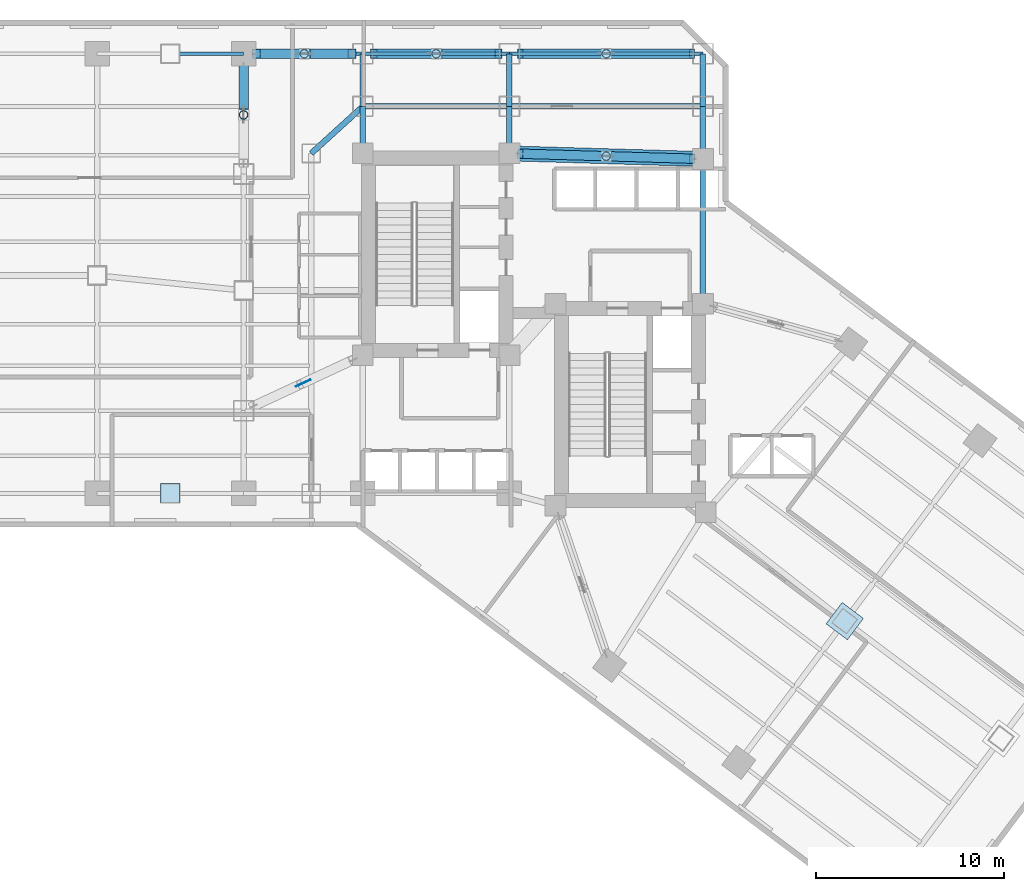
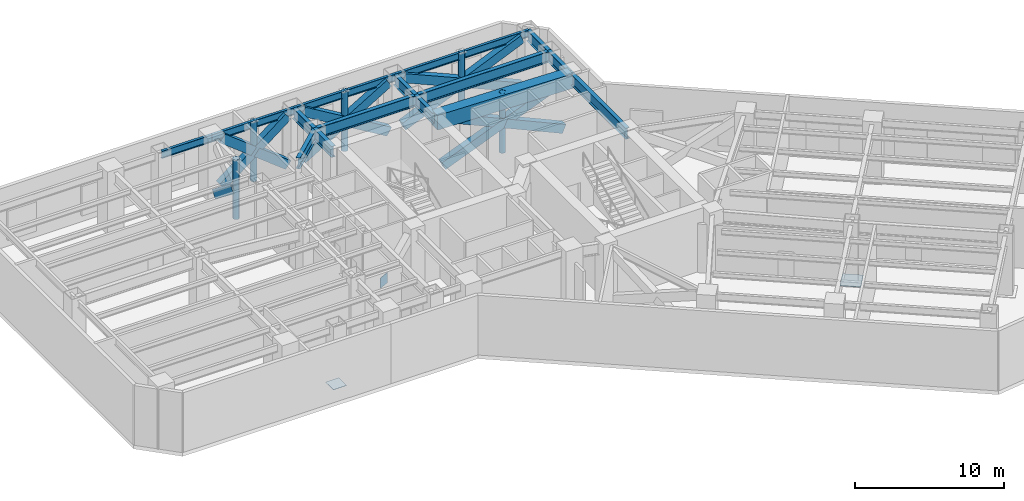
# One storey, part 3 of 16: 18 members, 15 beams, 3 plates.
"""IFC4 building model written with IfcOpenShell, lengths in metres."""

from ifc_helpers import new_model, si_unit, direction, frame, origin, origin_2d, place, context, subcontext, project, spatial, rectangle, hollow_rectangle, hollow_circle, i_section, extrude, material, layer, layer_set, material_profile, profile_set, type_object, element, save


model = new_model("IFC4")

# Units and contexts
model_context = context("Model", 3, precision=1e-05, world=origin(), true_north=direction((0.0, 1.0)))
body_context = subcontext(model_context, "Body", "Model", "MODEL_VIEW")
ifc_project = project(units=[si_unit("LENGTHUNIT", "METRE"), si_unit("AREAUNIT", "SQUARE_METRE"), si_unit("VOLUMEUNIT", "CUBIC_METRE"), si_unit("PLANEANGLEUNIT", "RADIAN"), si_unit("MASSUNIT", "GRAM", prefix="KILO")], contexts=[model_context])

# Site, building, storey
site_placement = place(None, origin())
site = spatial("IfcSite", under=ifc_project, at=site_placement, CompositionType="ELEMENT")
building_placement = place(site_placement, origin())
building = spatial("IfcBuilding", under=site, at=building_placement, Name="Hatsunagi Terrace Concourse", CompositionType="ELEMENT")
storey_placement = place(building_placement, frame((0.0, 0.0, 27.0)))
storey = spatial("IfcBuildingStorey", under=building, at=storey_placement, Name="L06", CompositionType="ELEMENT", Elevation=27.0)

# Members
ifc_material_1 = material(Name="Steel SN490B", Category="steel")
ifc_material_profile_1 = material_profile(ifc_material_1, hollow_circle(Radius=0.228515625, WallThickness=0.01904296875, at=origin_2d()), Name="CHS-457.2x19")
ifc_profile_set_1 = profile_set([ifc_material_profile_1], Name="Steel SN490B")
member_type_1 = type_object("IfcMemberType", Name="BeltTrussStrut_CHS_457x19", PredefinedType="STRUT", material=ifc_profile_set_1)
for number, where, z_axis, x_axis, name in (
    (1, (19.199951171875, 45.35009765625, 0.0), (0.0, 0.0, 1.0), (1.0, 0.0, 0.0), "Belt Strut BST-01 L06-2"),
    (2, (22.425048828125, 48.60009765625, 0.0), (0.0, 0.0, 1.0), (1.0, 0.0, 0.0), "Belt Strut BST-01 L06-3"),
    (3, (29.449951171875, 48.60009765625, 0.0), (0.0, 0.0, 1.0), (1.0, 0.0, 0.0), "Belt Strut BST-01 L06-4"),
    (4, (38.5, 43.14990234375, 0.0), (0.0, 0.0, 1.0), (1.0, 0.0, 0.0), "Belt Strut BST-01 L06-7"),
    (5, (38.5, 48.60009765625, 0.0), (0.0, 0.0, 1.0), (1.0, 0.0, 0.0), "Belt Strut BST-01 L06-8"),
):
    element("IfcMember", number, at=place(storey_placement, frame(where, z_axis=z_axis, x_axis=x_axis)), inside=storey, type_object=member_type_1, Name=name, PredefinedType="STRUT", context=body_context, shape_type="SweptSolid", body=[
        extrude(hollow_circle(Radius=0.228515625, WallThickness=0.01904296875, at=origin_2d()), origin(), (0.0, 0.0, 1.0), 4.8798828125),
    ])

# Beams
ifc_material_2 = material(Name="Concrete Fc60", Category="concrete")
ifc_material_profile_2 = material_profile(ifc_material_2, rectangle(XDim=0.800048828125, YDim=1.199951171875, at=origin_2d()), Name="RC-800x1200")
ifc_profile_set_2 = profile_set([ifc_material_profile_2], Name="Concrete Fc60")
beam_type_1 = type_object("IfcBeamType", Name="CoreCouplingBeam_RC_800x1200", PredefinedType="BEAM", material=ifc_profile_set_2)
beam_1_placement = place(storey_placement, frame((33.35009765625, 43.300048828125, 4.280029296875), z_axis=(0.999575947545, -0.029119153303, 0.0), x_axis=(0.029119153303, 0.999575947545, 0.0)))
element("IfcBeam", 6, at=beam_1_placement, inside=storey, type_object=beam_type_1, Name="Beam CB-01 CB-L06-2", PredefinedType="BEAM", context=body_context, shape_type="SweptSolid", body=[
    extrude(rectangle(XDim=0.800048828125, YDim=1.199951171875, at=origin_2d()), origin(), (0.0, 0.0, 1.0), 10.30419921875),
])
ifc_material_3 = material(Name="Steel SN490B", Category="steel")
ifc_material_profile_3 = material_profile(ifc_material_3, i_section(OverallWidth=0.300048828125, OverallDepth=0.89990234375, WebThickness=0.01611328125, FlangeThickness=0.028076171875, FilletRadius=0.02197265625, at=origin_2d()), Name="H-900x300x16x28")
ifc_profile_set_3 = profile_set([ifc_material_profile_3], Name="Steel SN490B")
beam_type_2 = type_object("IfcBeamType", Name="HeavyRefugeGirder_H_900x300", PredefinedType="BEAM", material=ifc_profile_set_3)
beam_2_placement = place(storey_placement, frame((43.64990234375, 35.300048828125, 4.429931640625), z_axis=(0.0, 1.0, 0.0), x_axis=(-1.0, 0.0, 0.0)))
element("IfcBeam", 7, at=beam_2_placement, inside=storey, type_object=beam_type_2, Name="Beam G-02 BM-L06-CBK3", PredefinedType="BEAM", context=body_context, shape_type="SweptSolid", body=[
    extrude(i_section(OverallWidth=0.300048828125, OverallDepth=0.89990234375, WebThickness=0.01611328125, FlangeThickness=0.028076171875, FilletRadius=0.02197265625, at=origin_2d()), origin(), (0.0, 0.0, 1.0), 7.699951171875),
])
for number, where, z_axis, x_axis, name in (
    (8, (25.550048828125, 43.300048828125, 4.429931640625), (0.0, 1.0, 0.0), (-1.0, 0.0, 0.0), "Beam G-02 BM-L06-CN1"),
    (9, (33.35009765625, 43.300048828125, 4.429931640625), (0.0, 1.0, 0.0), (-1.0, 0.0, 0.0), "Beam G-02 BM-L06-CN2"),
):
    element("IfcBeam", number, at=place(storey_placement, frame(where, z_axis=z_axis, x_axis=x_axis)), inside=storey, type_object=beam_type_2, Name=name, PredefinedType="BEAM", context=body_context, shape_type="SweptSolid", body=[
        extrude(i_section(OverallWidth=0.300048828125, OverallDepth=0.89990234375, WebThickness=0.01611328125, FlangeThickness=0.028076171875, FilletRadius=0.02197265625, at=origin_2d()), origin(), (0.0, 0.0, 1.0), 2.5),
    ])
beam_3_placement = place(storey_placement, frame((43.64990234375, 43.0, 4.429931640625), z_axis=(0.0, 1.0, 0.0), x_axis=(-1.0, 0.0, 0.0)))
element("IfcBeam", 10, at=beam_3_placement, inside=storey, type_object=beam_type_2, Name="Beam G-02 BM-L06-CN3", PredefinedType="BEAM", context=body_context, shape_type="SweptSolid", body=[
    extrude(i_section(OverallWidth=0.300048828125, OverallDepth=0.89990234375, WebThickness=0.01611328125, FlangeThickness=0.028076171875, FilletRadius=0.02197265625, at=origin_2d()), origin(), (0.0, 0.0, 1.0), 2.800048828125),
])
beam_4_placement = place(storey_placement, frame((25.550048828125, 45.800048828125, 4.429931640625), z_axis=(1.0, 0.0, 0.0), x_axis=(0.0, 1.0, 0.0)))
element("IfcBeam", 11, at=beam_4_placement, inside=storey, type_object=beam_type_2, Name="Beam G-02 BM-L06-CNEW1", PredefinedType="BEAM", context=body_context, shape_type="SweptSolid", body=[
    extrude(i_section(OverallWidth=0.300048828125, OverallDepth=0.89990234375, WebThickness=0.01611328125, FlangeThickness=0.028076171875, FilletRadius=0.02197265625, at=origin_2d()), origin(), (0.0, 0.0, 1.0), 7.800048828125),
])
beam_5_placement = place(storey_placement, frame((33.35009765625, 45.800048828125, 4.429931640625), z_axis=(1.0, 0.0, 0.0), x_axis=(0.0, 1.0, 0.0)))
element("IfcBeam", 12, at=beam_5_placement, inside=storey, type_object=beam_type_2, Name="Beam G-02 BM-L06-CNEW2", PredefinedType="BEAM", context=body_context, shape_type="SweptSolid", body=[
    extrude(i_section(OverallWidth=0.300048828125, OverallDepth=0.89990234375, WebThickness=0.01611328125, FlangeThickness=0.028076171875, FilletRadius=0.02197265625, at=origin_2d()), origin(), (0.0, 0.0, 1.0), 10.2998046875),
])
for number, where, z_axis, x_axis, name in (
    (13, (25.550048828125, 45.800048828125, 4.429931640625), (0.0, 1.0, 0.0), (-1.0, 0.0, 0.0), "Beam G-02 BM-L06-KN-WN4"),
    (14, (33.35009765625, 45.800048828125, 4.429931640625), (0.0, 1.0, 0.0), (-1.0, 0.0, 0.0), "Beam G-02 BM-L06-KN-WN5"),
    (15, (43.64990234375, 45.800048828125, 4.429931640625), (0.0, 1.0, 0.0), (-1.0, 0.0, 0.0), "Beam G-02 BM-L06-KN-WN6"),
):
    element("IfcBeam", number, at=place(storey_placement, frame(where, z_axis=z_axis, x_axis=x_axis)), inside=storey, type_object=beam_type_2, Name=name, PredefinedType="BEAM", context=body_context, shape_type="SweptSolid", body=[
        extrude(i_section(OverallWidth=0.300048828125, OverallDepth=0.89990234375, WebThickness=0.01611328125, FlangeThickness=0.028076171875, FilletRadius=0.02197265625, at=origin_2d()), origin(), (0.0, 0.0, 1.0), 2.800048828125),
    ])
beam_6_placement = place(storey_placement, frame((22.800048828125, 43.300048828125, 4.429931640625), z_axis=(0.739940073396, 0.672672793996, 0.0), x_axis=(-0.672672793996, 0.739940073396, 0.0)))
element("IfcBeam", 16, at=beam_6_placement, inside=storey, type_object=beam_type_2, Name="Beam G-02 BM-L06-CWEW-N", PredefinedType="BEAM", context=body_context, shape_type="SweptSolid", body=[
    extrude(i_section(OverallWidth=0.300048828125, OverallDepth=0.89990234375, WebThickness=0.01611328125, FlangeThickness=0.028076171875, FilletRadius=0.02197265625, at=origin_2d()), origin(), (0.0, 0.0, 1.0), 3.716552734375),
])

# Members
ifc_material_4 = material(Name="Steel SN490C", Category="steel")
ifc_material_profile_4 = material_profile(ifc_material_4, hollow_rectangle(XDim=0.5, YDim=0.699951171875, WallThickness=0.031982421875, at=origin_2d()), Name="RHS-700x500x32")
ifc_profile_set_4 = profile_set([ifc_material_profile_4], Name="Steel SN490C")
member_type_2 = type_object("IfcMemberType", Name="OutriggerDiagonal_RHS_700x500x32", PredefinedType="BRACE", material=ifc_profile_set_4)
member_1_placement = place(storey_placement, frame((19.199951171875, 45.4609375, 2.35498046875), z_axis=(0.0, 0.792343407861, -0.610075342904), x_axis=(-1.0, 0.0, 0.0)))
element("IfcMember", 17, at=member_1_placement, inside=storey, type_object=member_type_2, Name="Split Secondary Brace Lower OUT-01 OUT-L06-2B2", PredefinedType="BRACE", context=body_context, shape_type="SweptSolid", body=[
    extrude(hollow_rectangle(XDim=0.5, YDim=0.699951171875, WallThickness=0.031982421875, at=origin_2d()), origin(), (0.0, 0.0, 1.0), 3.106201171875),
])
member_2_placement = place(storey_placement, frame((19.8779296875, 48.60009765625, 0.4599609375), z_axis=(0.789505003162, 0.0, 0.613744124193), x_axis=(0.0, 1.0, 0.0)))
element("IfcMember", 18, at=member_2_placement, inside=storey, type_object=member_type_2, Name="Primary Continuous Brace OUT-01 OUT-L06-3A", PredefinedType="BRACE", context=body_context, shape_type="SweptSolid", body=[
    extrude(hollow_rectangle(XDim=0.5, YDim=0.699951171875, WallThickness=0.031982421875, at=origin_2d()), origin(), (0.0, 0.0, 1.0), 6.4521484375),
])
for number, where, z_axis, x_axis, name in (
    (19, (19.8779296875, 48.60009765625, 4.419921875), (0.789454453179, 0.0, -0.613809144895), (0.0, 1.0, 0.0), "Split Secondary Brace Upper OUT-01 OUT-L06-3B1"),
    (20, (22.535888671875, 48.60009765625, 2.35400390625), (0.789454453179, 0.0, -0.613809144895), (0.0, 1.0, 0.0), "Split Secondary Brace Lower OUT-01 OUT-L06-3B2"),
):
    element("IfcMember", number, at=place(storey_placement, frame(where, z_axis=z_axis, x_axis=x_axis)), inside=storey, type_object=member_type_2, Name=name, PredefinedType="BRACE", context=body_context, shape_type="SweptSolid", body=[
        extrude(hollow_rectangle(XDim=0.5, YDim=0.699951171875, WallThickness=0.031982421875, at=origin_2d()), origin(), (0.0, 0.0, 1.0), 3.085693359375),
    ])
member_3_placement = place(storey_placement, frame((26.1279296875, 48.60009765625, 0.4599609375), z_axis=(0.858998765025, 0.0, 0.511977657408), x_axis=(0.0, 1.0, 0.0)))
element("IfcMember", 21, at=member_3_placement, inside=storey, type_object=member_type_2, Name="Primary Continuous Brace OUT-01 OUT-L06-4A", PredefinedType="BRACE", context=body_context, shape_type="SweptSolid", body=[
    extrude(hollow_rectangle(XDim=0.5, YDim=0.699951171875, WallThickness=0.031982421875, at=origin_2d()), origin(), (0.0, 0.0, 1.0), 7.734619140625),
])
member_4_placement = place(storey_placement, frame((26.1279296875, 48.60009765625, 4.419921875), z_axis=(0.859066615687, 0.0, -0.51186380006), x_axis=(0.0, 1.0, 0.0)))
element("IfcMember", 22, at=member_4_placement, inside=storey, type_object=member_type_2, Name="Split Secondary Brace Upper OUT-01 OUT-L06-4B1", PredefinedType="BRACE", context=body_context, shape_type="SweptSolid", body=[
    extrude(hollow_rectangle(XDim=0.5, YDim=0.699951171875, WallThickness=0.031982421875, at=origin_2d()), origin(), (0.0, 0.0, 1.0), 3.7275390625),
])
member_5_placement = place(storey_placement, frame((29.570068359375, 48.60009765625, 2.367919921875), z_axis=(0.859049453567, 0.0, -0.511892602335), x_axis=(0.0, 1.0, 0.0)))
element("IfcMember", 23, at=member_5_placement, inside=storey, type_object=member_type_2, Name="Split Secondary Brace Lower OUT-01 OUT-L06-4B2", PredefinedType="BRACE", context=body_context, shape_type="SweptSolid", body=[
    extrude(hollow_rectangle(XDim=0.5, YDim=0.699951171875, WallThickness=0.031982421875, at=origin_2d()), origin(), (0.0, 0.0, 1.0), 3.727294921875),
])
member_6_placement = place(storey_placement, frame((33.927978515625, 43.282958984375, 0.4599609375), z_axis=(0.917319128143, -0.026671664723, 0.397258403868), x_axis=(0.029063383735, 0.99957757064, 0.0)))
element("IfcMember", 24, at=member_6_placement, inside=storey, type_object=member_type_2, Name="Primary Continuous Brace OUT-01 OUT-L06-7A", PredefinedType="BRACE", context=body_context, shape_type="SweptSolid", body=[
    extrude(hollow_rectangle(XDim=0.5, YDim=0.699951171875, WallThickness=0.031982421875, at=origin_2d()), origin(), (0.0, 0.0, 1.0), 9.96826171875),
])
member_7_placement = place(storey_placement, frame((33.927978515625, 43.282958984375, 4.419921875), z_axis=(0.917377134227, -0.026609631757, -0.397128595161), x_axis=(0.02899401313, 0.999579585227, 0.0)))
element("IfcMember", 25, at=member_7_placement, inside=storey, type_object=member_type_2, Name="Split Secondary Brace Upper OUT-01 OUT-L06-7B1", PredefinedType="BRACE", context=body_context, shape_type="SweptSolid", body=[
    extrude(hollow_rectangle(XDim=0.5, YDim=0.699951171875, WallThickness=0.031982421875, at=origin_2d()), origin(), (0.0, 0.0, 1.0), 4.84423828125),
])
member_8_placement = place(storey_placement, frame((38.6279296875, 43.14599609375, 2.384033203125), z_axis=(0.917358773134, -0.026609099171, -0.397171042744), x_axis=(0.02899401313, 0.999579585227, 0.0)))
element("IfcMember", 26, at=member_8_placement, inside=storey, type_object=member_type_2, Name="Split Secondary Brace Lower OUT-01 OUT-L06-7B2", PredefinedType="BRACE", context=body_context, shape_type="SweptSolid", body=[
    extrude(hollow_rectangle(XDim=0.5, YDim=0.699951171875, WallThickness=0.031982421875, at=origin_2d()), origin(), (0.0, 0.0, 1.0), 4.844482421875),
])
member_9_placement = place(storey_placement, frame((33.927978515625, 48.60009765625, 0.4599609375), z_axis=(0.917645582513, 0.0, 0.397399779686), x_axis=(0.0, 1.0, 0.0)))
element("IfcMember", 27, at=member_9_placement, inside=storey, type_object=member_type_2, Name="Primary Continuous Brace OUT-01 OUT-L06-8A", PredefinedType="BRACE", context=body_context, shape_type="SweptSolid", body=[
    extrude(hollow_rectangle(XDim=0.5, YDim=0.699951171875, WallThickness=0.031982421875, at=origin_2d()), origin(), (0.0, 0.0, 1.0), 9.964599609375),
])
member_10_placement = place(storey_placement, frame((33.927978515625, 48.60009765625, 4.419921875), z_axis=(0.917702091569, 0.0, -0.397269267789), x_axis=(0.0, 1.0, 0.0)))
element("IfcMember", 28, at=member_10_placement, inside=storey, type_object=member_type_2, Name="Split Secondary Brace Upper OUT-01 OUT-L06-8B1", PredefinedType="BRACE", context=body_context, shape_type="SweptSolid", body=[
    extrude(hollow_rectangle(XDim=0.5, YDim=0.699951171875, WallThickness=0.031982421875, at=origin_2d()), origin(), (0.0, 0.0, 1.0), 4.842529296875),
])
member_11_placement = place(storey_placement, frame((38.6279296875, 48.60009765625, 2.384033203125), z_axis=(0.917683710958, 0.0, -0.397311724774), x_axis=(0.0, 1.0, 0.0)))
element("IfcMember", 29, at=member_11_placement, inside=storey, type_object=member_type_2, Name="Split Secondary Brace Lower OUT-01 OUT-L06-8B2", PredefinedType="BRACE", context=body_context, shape_type="SweptSolid", body=[
    extrude(hollow_rectangle(XDim=0.5, YDim=0.699951171875, WallThickness=0.031982421875, at=origin_2d()), origin(), (0.0, 0.0, 1.0), 4.8427734375),
])

# Beams
ifc_material_5 = material(Name="Steel SN490B", Category="steel")
ifc_material_profile_5 = material_profile(ifc_material_5, i_section(OverallWidth=0.199951171875, OverallDepth=0.60009765625, WebThickness=0.010986328125, FlangeThickness=0.01708984375, FilletRadius=0.01806640625, at=origin_2d()), Name="H-600x200x11x17")
ifc_profile_set_5 = profile_set([ifc_material_profile_5], Name="Steel SN490B")
beam_type_3 = type_object("IfcBeamType", Name="PerimeterSpandrel_H_600x200", PredefinedType="SPANDREL", material=ifc_profile_set_5)
beam_7_placement = place(storey_placement, frame((15.300048828125, 48.60009765625, 4.580078125), z_axis=(1.0, 0.0, 0.0), x_axis=(0.0, 1.0, 0.0)))
element("IfcBeam", 30, at=beam_7_placement, inside=storey, type_object=beam_type_3, Name="Beam SP-01 BM-L06-WN-15", PredefinedType="SPANDREL", context=body_context, shape_type="SweptSolid", body=[
    extrude(i_section(OverallWidth=0.199951171875, OverallDepth=0.60009765625, WebThickness=0.010986328125, FlangeThickness=0.01708984375, FilletRadius=0.01806640625, at=origin_2d()), origin(), (0.0, 0.0, 1.0), 3.89990234375),
])
beam_8_placement = place(storey_placement, frame((19.199951171875, 48.60009765625, 4.580078125), z_axis=(1.0, 0.0, 0.0), x_axis=(0.0, 1.0, 0.0)))
element("IfcBeam", 31, at=beam_8_placement, inside=storey, type_object=beam_type_3, Name="Beam SP-01 BM-L06-WN-19", PredefinedType="SPANDREL", context=body_context, shape_type="SweptSolid", body=[
    extrude(i_section(OverallWidth=0.199951171875, OverallDepth=0.60009765625, WebThickness=0.010986328125, FlangeThickness=0.01708984375, FilletRadius=0.01806640625, at=origin_2d()), origin(), (0.0, 0.0, 1.0), 6.35009765625),
])
beam_9_placement = place(storey_placement, frame((25.550048828125, 48.60009765625, 4.580078125), z_axis=(1.0, 0.0, 0.0), x_axis=(0.0, 1.0, 0.0)))
element("IfcBeam", 32, at=beam_9_placement, inside=storey, type_object=beam_type_3, Name="Beam SP-01 BM-L06-WN-25", PredefinedType="SPANDREL", context=body_context, shape_type="SweptSolid", body=[
    extrude(i_section(OverallWidth=0.199951171875, OverallDepth=0.60009765625, WebThickness=0.010986328125, FlangeThickness=0.01708984375, FilletRadius=0.01806640625, at=origin_2d()), origin(), (0.0, 0.0, 1.0), 7.800048828125),
])
beam_10_placement = place(storey_placement, frame((33.35009765625, 48.60009765625, 4.580078125), z_axis=(1.0, 0.0, 0.0), x_axis=(0.0, 1.0, 0.0)))
element("IfcBeam", 33, at=beam_10_placement, inside=storey, type_object=beam_type_3, Name="Beam SP-01 BM-L06-WN-33", PredefinedType="SPANDREL", context=body_context, shape_type="SweptSolid", body=[
    extrude(i_section(OverallWidth=0.199951171875, OverallDepth=0.60009765625, WebThickness=0.010986328125, FlangeThickness=0.01708984375, FilletRadius=0.01806640625, at=origin_2d()), origin(), (0.0, 0.0, 1.0), 10.2998046875),
])

# Plates
ifc_material_6 = material(Name="Steel SN490C", Category="steel")
ifc_layer_1 = layer(ifc_material_6, 0.031982421875)
ifc_layer_set_1 = layer_set([ifc_layer_1], Name="ColumnEndCapPlate_32")
plate_type_1 = type_object("IfcPlateType", Name="ColumnEndCapPlate_32", PredefinedType="USERDEFINED", material=ifc_layer_set_1)
plate_1_placement = place(storey_placement, frame((15.300048828125, 25.199951171875, 0.0), z_axis=(0.0, 0.0, 1.0), x_axis=(1.0, 0.0, 0.0)))
element("IfcPlate", 34, at=plate_1_placement, inside=storey, type_object=plate_type_1, Name="Hollow Column Base Cap Plate GP-03 L06-WT3", ObjectType="GUSSET_PLATE", PredefinedType="USERDEFINED", context=body_context, shape_type="SweptSolid", body=[
    extrude(rectangle(XDim=1.0400390625, YDim=1.0400390625, at=origin_2d()), origin(), (0.0, 0.0, 1.0), 0.031982421875),
])
plate_2_placement = place(storey_placement, frame((51.199951171875, 18.39990234375, 0.0), z_axis=(0.0, 0.0, 1.0), x_axis=(0.799999996291, -0.600000004945, 0.0)))
element("IfcPlate", 35, at=plate_2_placement, inside=storey, type_object=plate_type_1, Name="Hollow Column Base Cap Plate GP-03 L06-SEM2", ObjectType="GUSSET_PLATE", PredefinedType="USERDEFINED", context=body_context, shape_type="SweptSolid", body=[
    extrude(rectangle(XDim=1.419921875, YDim=1.419921875, at=origin_2d()), origin(), (0.0, 0.0, 1.0), 0.031982421875),
])
ifc_material_7 = material(Name="Steel SN490C", Category="steel")
ifc_layer_2 = layer(ifc_material_7, 0.035888671875)
ifc_layer_set_2 = layer_set([ifc_layer_2], Name="OutriggerGussetPlate_36")
plate_type_2 = type_object("IfcPlateType", Name="OutriggerGussetPlate_36", PredefinedType="USERDEFINED", material=ifc_layer_set_2)
plate_3_placement = place(storey_placement, frame((22.375, 31.074951171875, 2.02001953125), z_axis=(0.0, 0.0, 1.0), x_axis=(-0.906911697231, -0.421320748867, 0.0)))
element("IfcPlate", 36, at=plate_3_placement, inside=storey, type_object=plate_type_2, Name="Crossing Gusset Node Plate GP-01 OUT-L06-1", ObjectType="GUSSET_PLATE", PredefinedType="USERDEFINED", context=body_context, shape_type="SweptSolid", body=[
    extrude(rectangle(XDim=0.840087890625, YDim=0.035888671875, at=origin_2d()), origin(), (0.0, 0.0, 1.0), 0.840087890625),
])

save(model, "model.ifc")
